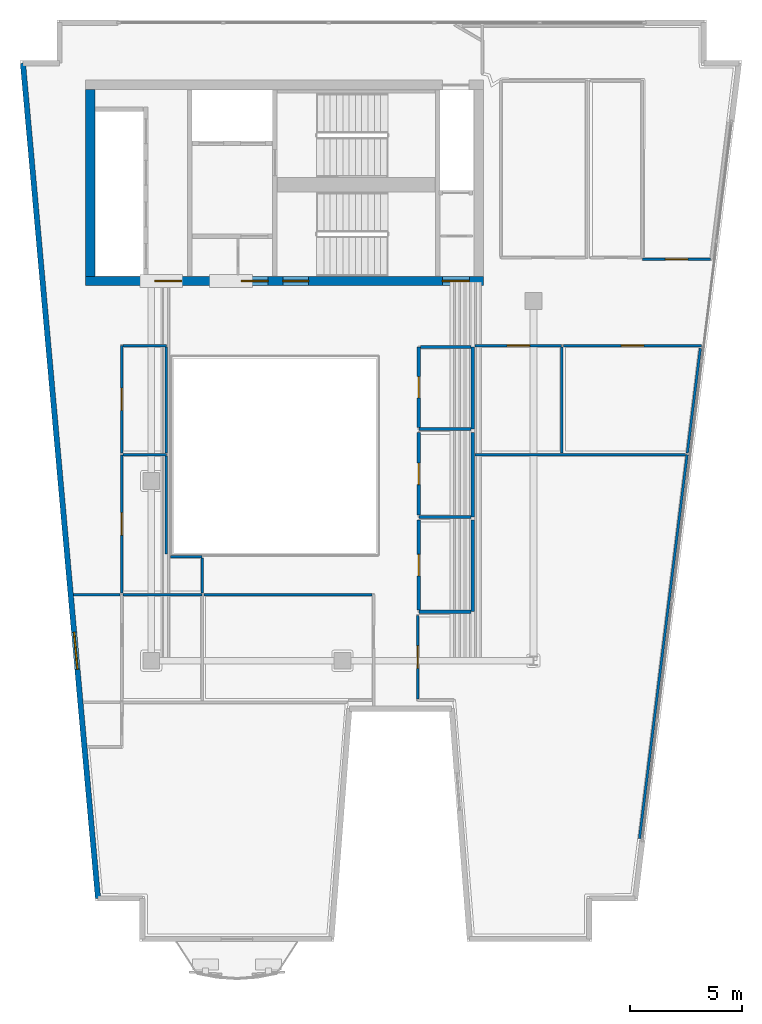
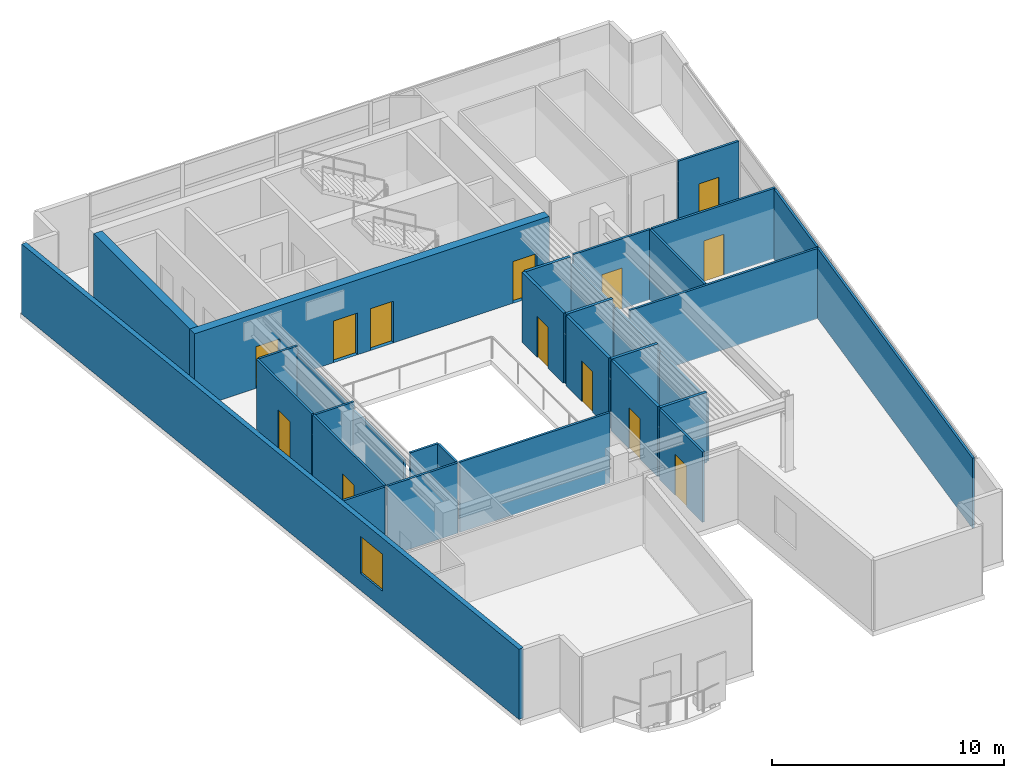
# One storey, part 4 of 8: 32 walls, 13 doors, 1 window, 14 openings.
"""IFC4 building model written with IfcOpenShell, lengths in metres."""

from ifc_helpers import new_model, si_unit, direction, frame, frame_2d, origin, place, context, subcontext, project, spatial, rectangle, extrude, material, layer, layer_set, type_object, element, fill, save


model = new_model("IFC4")

# Units and contexts
model_context = context("Model", 3, precision=1e-05, world=origin(), true_north=direction((0.0, 1.0)))
body_context = subcontext(model_context, "Body", "Model", "MODEL_VIEW")
ifc_project = project(units=[si_unit("LENGTHUNIT", "METRE"), si_unit("AREAUNIT", "SQUARE_METRE"), si_unit("VOLUMEUNIT", "CUBIC_METRE"), si_unit("PLANEANGLEUNIT", "RADIAN"), si_unit("MASSUNIT", "GRAM", prefix="KILO")], contexts=[model_context])

# Site, building, storey
site_placement = place(None, origin())
site = spatial("IfcSite", under=ifc_project, at=site_placement, CompositionType="ELEMENT")
building_placement = place(site_placement, origin())
building = spatial("IfcBuilding", under=site, at=building_placement, Name="Caeloran Harvest Quay", CompositionType="ELEMENT")
storey_placement = place(building_placement, frame((0.0, 0.0, 268.550048828125)))
storey = spatial("IfcBuildingStorey", under=building, at=storey_placement, Name="L64", CompositionType="ELEMENT", Elevation=268.550048828125)

# Wall, opening, window
ifc_material_1 = material(Name="Precast concrete C50/60", Category="concrete")
ifc_layer_1 = layer(ifc_material_1, 0.239990234375, Name="Precast concrete C50/60")
ifc_layer_set_1 = layer_set([ifc_layer_1], Name="Precast concrete C50/60")
wall_type_1 = type_object("IfcWallType", Name="ENV-WALL-EW-240", PredefinedType="STANDARD", material=ifc_layer_set_1)
wall_1_placement = place(storey_placement, frame((6.13330078125, 4.419921875, 0.0), z_axis=(0.0, 0.0, 1.0), x_axis=(-0.089522678378, 0.995984784048, 0.0)))
wall_1 = element("IfcWall", 1, at=wall_1_placement, inside=storey, type_object=wall_type_1, Name="L64 Exterior Precast Concrete Facade Wall 3", PredefinedType="STANDARD", context=body_context, shape_type="SweptSolid", body=[
    extrude(rectangle(XDim=37.31005859375, YDim=0.239990234375, at=frame_2d((18.655029296875, 0.0))), origin(), (0.0, 0.0, 1.0), 3.699951171875),
])
opening_1_placement = place(wall_1_placement, frame((10.24560546875, 0.0, 0.89990234375)))
opening_1 = element("IfcOpeningElement", 2, at=opening_1_placement, cuts=wall_1, Name="Opening W-08", PredefinedType="OPENING", context=body_context, shape_type="SweptSolid", body=[
    extrude(rectangle(XDim=1.64990234375, YDim=1.949951171875, at=frame_2d((0.824951171875, 0.97509765625))), frame((0.0, 0.1298828125, 0.0), z_axis=(0.0, -1.0, 0.0), x_axis=(1.0, 0.0, 0.0)), (0.0, 0.0, 1.0), 0.260009765625),
])
ifc_material_2 = material(Name="Aluminium-Framed Low-E Laminated Glass", Category="aluminium")
window_type = type_object("IfcWindowType", Name="WIN-W-08", PartitioningType="SINGLE_PANEL", PredefinedType="WINDOW", material=ifc_material_2)
window_placement = place(opening_1_placement, origin())
window = element("IfcWindow", 3, at=window_placement, inside=storey, type_object=window_type, Name="L64 Facade Punched Window W-08", OverallHeight=1.949951171875, OverallWidth=1.64990234375, PartitioningType="SINGLE_PANEL", PredefinedType="WINDOW", context=body_context, shape_type="SweptSolid", body=[
    extrude(rectangle(XDim=1.64990234375, YDim=1.949951171875, at=frame_2d((0.824951171875, 0.97509765625))), frame((0.0, 0.030029296875, 0.0), z_axis=(0.0, -1.0, 0.0), x_axis=(1.0, 0.0, 0.0)), (0.0, 0.0, 1.0), 0.06005859375),
])
fill(opening_1, window)

# Wall
ifc_material_3 = material(Name="Single-Stud Acoustic Gypsum Office Partition", Category="gypsum")
ifc_layer_2 = layer(ifc_material_3, 0.112060546875, Name="Single-Stud Acoustic Gypsum Office Partition")
ifc_layer_set_2 = layer_set([ifc_layer_2], Name="Single-Stud Acoustic Gypsum Office Partition")
wall_type_2 = type_object("IfcWallType", Name="INT-WALL-PW-112", PredefinedType="PARTITIONING", material=ifc_layer_set_2)
wall_2_placement = place(storey_placement, frame((32.3369140625, 24.159912109375, 0.0), z_axis=(0.0, 0.0, 1.0), x_axis=(-0.123182617282, -0.992384019823, 0.0)))
element("IfcWall", 4, at=wall_2_placement, inside=storey, type_object=wall_type_2, Name="International Policy Conference Room Partition Wall", PredefinedType="PARTITIONING", context=body_context, shape_type="SweptSolid", body=[
    extrude(rectangle(XDim=17.209228515625, YDim=0.112060546875, at=frame_2d((8.6044921875, 0.0))), origin(), (0.0, 0.0, 1.0), 3.699951171875),
])

# Wall, opening, door
wall_3_placement = place(storey_placement, frame((20.35009765625, 13.301025390625, 0.0), z_axis=(0.0, 0.0, 1.0), x_axis=(0.0, 1.0, 0.0)))
wall_3 = element("IfcWall", 5, at=wall_3_placement, inside=storey, type_object=wall_type_2, Name="International Policy Conference Room Partition Wall", PredefinedType="PARTITIONING", context=body_context, shape_type="SweptSolid", body=[
    extrude(rectangle(XDim=3.718994140625, YDim=0.112060546875, at=frame_2d((1.859375, 0.0))), origin(), (0.0, 0.0, 1.0), 3.699951171875),
])
opening_2_placement = place(wall_3_placement, frame((1.359619140625, 0.0, 0.0)))
opening_2 = element("IfcOpeningElement", 6, at=opening_2_placement, cuts=wall_3, Name="Opening ID-01", PredefinedType="OPENING", context=body_context, shape_type="SweptSolid", body=[
    extrude(rectangle(XDim=1.0, YDim=2.14990234375, at=frame_2d((0.5, 1.074951171875))), frame((0.0, 0.06591796875, 0.0), z_axis=(0.0, -1.0, 0.0), x_axis=(1.0, 0.0, 0.0)), (0.0, 0.0, 1.0), 0.132080078125),
])
ifc_material_4 = material(Name="FSC Solid-Core Ash Timber and Acoustic Seal", Category="wood")
door_type_1 = type_object("IfcDoorType", Name="INTDOOR-ID-01", OperationType="NOTDEFINED", PredefinedType="DOOR", material=ifc_material_4)
door_1_placement = place(opening_2_placement, origin())
door_1 = element("IfcDoor", 7, at=door_1_placement, inside=storey, type_object=door_type_1, Name="International Policy Conference Room Access Door", OperationType="SINGLE_SWING_LEFT", OverallHeight=2.14990234375, OverallWidth=1.0, PredefinedType="DOOR", context=body_context, shape_type="SweptSolid", body=[
    extrude(rectangle(XDim=1.0, YDim=2.14990234375, at=frame_2d((0.5, 1.074951171875))), frame((0.0, 0.02490234375, 0.0), z_axis=(0.0, -1.0, 0.0), x_axis=(1.0, 0.0, 0.0)), (0.0, 0.0, 1.0), 0.050048828125),
])
fill(opening_2, door_1)

# Walls
wall_4_placement = place(storey_placement, frame((22.909912109375, 24.159912109375, 0.0), z_axis=(0.0, 0.0, 1.0), x_axis=(1.0, 0.0, 0.0)))
element("IfcWall", 8, at=wall_4_placement, inside=storey, type_object=wall_type_2, Name="International Policy Conference Room Partition Wall", PredefinedType="PARTITIONING", context=body_context, shape_type="SweptSolid", body=[
    extrude(rectangle(XDim=9.365478515625, YDim=0.112060546875, at=frame_2d((4.6826171875, 0.0))), origin(), (0.0, 0.0, 1.0), 3.699951171875),
])
wall_5_placement = place(storey_placement, frame((5.043701171875, 17.93994140625, 0.0), z_axis=(0.0, 0.0, 1.0), x_axis=(1.0, 0.0, 0.0)))
element("IfcWall", 9, at=wall_5_placement, inside=storey, type_object=wall_type_2, Name="Translation Briefing Room Partition Wall", PredefinedType="PARTITIONING", context=body_context, shape_type="SweptSolid", body=[
    extrude(rectangle(XDim=2.0751953125, YDim=0.112060546875, at=frame_2d((1.03759765625, 0.0))), origin(), (0.0, 0.0, 1.0), 3.699951171875),
])
wall_6_placement = place(storey_placement, frame((7.240966796875, 17.93994140625, 0.0), z_axis=(0.0, 0.0, 1.0), x_axis=(1.0, 0.0, 0.0)))
element("IfcWall", 10, at=wall_6_placement, inside=storey, type_object=wall_type_2, Name="Translation Briefing Room Partition Wall", PredefinedType="PARTITIONING", context=body_context, shape_type="SweptSolid", body=[
    extrude(rectangle(XDim=3.51904296875, YDim=0.112060546875, at=frame_2d((1.759521484375, 0.0))), origin(), (0.0, 0.0, 1.0), 3.699951171875),
])
wall_7_placement = place(storey_placement, frame((10.840087890625, 17.93994140625, 0.0), z_axis=(0.0, 0.0, 1.0), x_axis=(1.0, 0.0, 0.0)))
element("IfcWall", 11, at=wall_7_placement, inside=storey, type_object=wall_type_2, Name="Treaty Archive Library Room Partition Wall", PredefinedType="PARTITIONING", context=body_context, shape_type="SweptSolid", body=[
    extrude(rectangle(XDim=7.489013671875, YDim=0.112060546875, at=frame_2d((3.74462890625, 0.0))), origin(), (0.0, 0.0, 1.0), 3.699951171875),
])
wall_8_placement = place(storey_placement, frame((9.35009765625, 19.6201171875, 0.0), z_axis=(0.0, 0.0, 1.0), x_axis=(1.0, 0.0, 0.0)))
element("IfcWall", 12, at=wall_8_placement, inside=storey, type_object=wall_type_2, Name="Delegation Dining Kitchen Partition Wall", PredefinedType="PARTITIONING", context=body_context, shape_type="SweptSolid", body=[
    extrude(rectangle(XDim=1.409912109375, YDim=0.112060546875, at=frame_2d((0.705078125, 0.0))), origin(), (0.0, 0.0, 1.0), 3.699951171875),
])
wall_9_placement = place(storey_placement, frame((10.760009765625, 19.55908203125, 0.0), z_axis=(0.0, 0.0, 1.0), x_axis=(0.0, -1.0, 0.0)))
element("IfcWall", 13, at=wall_9_placement, inside=storey, type_object=wall_type_2, Name="Delegation Dining Kitchen Partition Wall", PredefinedType="PARTITIONING", context=body_context, shape_type="SweptSolid", body=[
    extrude(rectangle(XDim=1.5390625, YDim=0.112060546875, at=frame_2d((0.76953125, 0.0))), origin(), (0.0, 0.0, 1.0), 3.699951171875),
])

# Wall, opening, door
wall_10_placement = place(storey_placement, frame((7.179931640625, 18.02001953125, 0.0), z_axis=(0.0, 0.0, 1.0), x_axis=(0.0, 1.0, 0.0)))
wall_10 = element("IfcWall", 14, at=wall_10_placement, inside=storey, type_object=wall_type_2, Name="Delegation Dining Kitchen Partition Wall", PredefinedType="PARTITIONING", context=body_context, shape_type="SweptSolid", body=[
    extrude(rectangle(XDim=6.139892578125, YDim=0.112060546875, at=frame_2d((3.06982421875, 0.0))), origin(), (0.0, 0.0, 1.0), 3.699951171875),
])
opening_3_placement = place(wall_10_placement, frame((2.570068359375, 0.0, 0.0)))
opening_3 = element("IfcOpeningElement", 15, at=opening_3_placement, cuts=wall_10, Name="Opening ID-01", PredefinedType="OPENING", context=body_context, shape_type="SweptSolid", body=[
    extrude(rectangle(XDim=1.0, YDim=2.14990234375, at=frame_2d((0.5, 1.074951171875))), frame((0.0, 0.06591796875, 0.0), z_axis=(0.0, -1.0, 0.0), x_axis=(1.0, 0.0, 0.0)), (0.0, 0.0, 1.0), 0.132080078125),
])
door_2_placement = place(opening_3_placement, origin())
door_2 = element("IfcDoor", 16, at=door_2_placement, inside=storey, type_object=door_type_1, Name="Delegation Dining Kitchen Access Door", OperationType="SINGLE_SWING_LEFT", OverallHeight=2.14990234375, OverallWidth=1.0, PredefinedType="DOOR", context=body_context, shape_type="SweptSolid", body=[
    extrude(rectangle(XDim=1.0, YDim=2.14990234375, at=frame_2d((0.5, 1.074951171875))), frame((0.0, 0.02490234375, 0.0), z_axis=(0.0, -1.0, 0.0), x_axis=(1.0, 0.0, 0.0)), (0.0, 0.0, 1.0), 0.050048828125),
])
fill(opening_3, door_2)

# Walls
wall_11_placement = place(storey_placement, frame((7.240966796875, 24.159912109375, 0.0), z_axis=(0.0, 0.0, 1.0), x_axis=(1.0, 0.0, 0.0)))
element("IfcWall", 17, at=wall_11_placement, inside=storey, type_object=wall_type_2, Name="Delegation Dining Kitchen Partition Wall", PredefinedType="PARTITIONING", context=body_context, shape_type="SweptSolid", body=[
    extrude(rectangle(XDim=1.928955078125, YDim=0.112060546875, at=frame_2d((0.96435546875, 0.0))), origin(), (0.0, 0.0, 1.0), 3.699951171875),
])
wall_12_placement = place(storey_placement, frame((9.169921875, 24.09912109375, 0.0), z_axis=(0.0, 0.0, 1.0), x_axis=(0.0, -1.0, 0.0)))
element("IfcWall", 18, at=wall_12_placement, inside=storey, type_object=wall_type_2, Name="Delegation Dining Kitchen Partition Wall", PredefinedType="PARTITIONING", context=body_context, shape_type="SweptSolid", body=[
    extrude(rectangle(XDim=4.34912109375, YDim=0.112060546875, at=frame_2d((2.174560546875, 0.0))), origin(), (0.0, 0.0, 1.0), 3.284912109375),
])

# Wall, opening, door
wall_13_placement = place(storey_placement, frame((7.179931640625, 24.239990234375, 0.0), z_axis=(0.0, 0.0, 1.0), x_axis=(0.0, 1.0, 0.0)))
wall_13 = element("IfcWall", 19, at=wall_13_placement, inside=storey, type_object=wall_type_2, Name="Diplomatic Catering Kitchen Partition Wall", PredefinedType="PARTITIONING", context=body_context, shape_type="SweptSolid", body=[
    extrude(rectangle(XDim=4.780029296875, YDim=0.112060546875, at=frame_2d((2.39013671875, 0.0))), origin(), (0.0, 0.0, 1.0), 3.699951171875),
])
opening_4_placement = place(wall_13_placement, frame((1.889892578125, 0.0, 0.0)))
opening_4 = element("IfcOpeningElement", 20, at=opening_4_placement, cuts=wall_13, Name="Opening ID-01", PredefinedType="OPENING", context=body_context, shape_type="SweptSolid", body=[
    extrude(rectangle(XDim=1.0, YDim=2.14990234375, at=frame_2d((0.5, 1.074951171875))), frame((0.0, 0.06591796875, 0.0), z_axis=(0.0, -1.0, 0.0), x_axis=(1.0, 0.0, 0.0)), (0.0, 0.0, 1.0), 0.132080078125),
])
door_3_placement = place(opening_4_placement, origin())
door_3 = element("IfcDoor", 21, at=door_3_placement, inside=storey, type_object=door_type_1, Name="Diplomatic Catering Kitchen Access Door", OperationType="SINGLE_SWING_RIGHT", OverallHeight=2.14990234375, OverallWidth=1.0, PredefinedType="DOOR", context=body_context, shape_type="SweptSolid", body=[
    extrude(rectangle(XDim=1.0, YDim=2.14990234375, at=frame_2d((0.5, 1.074951171875))), frame((0.0, 0.02490234375, 0.0), z_axis=(0.0, -1.0, 0.0), x_axis=(1.0, 0.0, 0.0)), (0.0, 0.0, 1.0), 0.050048828125),
])
fill(opening_4, door_3)

# Walls
wall_14_placement = place(storey_placement, frame((7.240966796875, 29.02001953125, 0.0), z_axis=(0.0, 0.0, 1.0), x_axis=(1.0, 0.0, 0.0)))
element("IfcWall", 22, at=wall_14_placement, inside=storey, type_object=wall_type_2, Name="Diplomatic Catering Kitchen Partition Wall", PredefinedType="PARTITIONING", context=body_context, shape_type="SweptSolid", body=[
    extrude(rectangle(XDim=1.928955078125, YDim=0.112060546875, at=frame_2d((0.96435546875, 0.0))), origin(), (0.0, 0.0, 1.0), 3.699951171875),
])
wall_15_placement = place(storey_placement, frame((9.169921875, 28.958984375, 0.0), z_axis=(0.0, 0.0, 1.0), x_axis=(0.0, -1.0, 0.0)))
element("IfcWall", 23, at=wall_15_placement, inside=storey, type_object=wall_type_2, Name="Diplomatic Catering Kitchen Partition Wall", PredefinedType="PARTITIONING", context=body_context, shape_type="SweptSolid", body=[
    extrude(rectangle(XDim=4.718994140625, YDim=0.112060546875, at=frame_2d((2.359375, 0.0))), origin(), (0.0, 0.0, 1.0), 3.284912109375),
])

# Wall, opening, door
wall_16_placement = place(storey_placement, frame((22.909912109375, 29.02001953125, 0.0), z_axis=(0.0, 0.0, 1.0), x_axis=(1.0, 0.0, 0.0)))
wall_16 = element("IfcWall", 24, at=wall_16_placement, inside=storey, type_object=wall_type_2, Name="Embassy Wellness Lounge Partition Wall", PredefinedType="PARTITIONING", context=body_context, shape_type="SweptSolid", body=[
    extrude(rectangle(XDim=3.85009765625, YDim=0.112060546875, at=frame_2d((1.925048828125, 0.0))), origin(), (0.0, 0.0, 1.0), 3.699951171875),
])
opening_5_placement = place(wall_16_placement, frame((1.425048828125, 0.0, 0.0)))
opening_5 = element("IfcOpeningElement", 25, at=opening_5_placement, cuts=wall_16, Name="Opening ID-01", PredefinedType="OPENING", context=body_context, shape_type="SweptSolid", body=[
    extrude(rectangle(XDim=1.0, YDim=2.14990234375, at=frame_2d((0.5, 1.074951171875))), frame((0.0, 0.06591796875, 0.0), z_axis=(0.0, -1.0, 0.0), x_axis=(1.0, 0.0, 0.0)), (0.0, 0.0, 1.0), 0.132080078125),
])
door_4_placement = place(opening_5_placement, origin())
door_4 = element("IfcDoor", 26, at=door_4_placement, inside=storey, type_object=door_type_1, Name="Embassy Wellness Lounge Access Door", OperationType="SINGLE_SWING_LEFT", OverallHeight=2.14990234375, OverallWidth=1.0, PredefinedType="DOOR", context=body_context, shape_type="SweptSolid", body=[
    extrude(rectangle(XDim=1.0, YDim=2.14990234375, at=frame_2d((0.5, 1.074951171875))), frame((0.0, 0.02490234375, 0.0), z_axis=(0.0, -1.0, 0.0), x_axis=(1.0, 0.0, 0.0)), (0.0, 0.0, 1.0), 0.050048828125),
])
fill(opening_5, door_4)

# Wall
wall_17_placement = place(storey_placement, frame((26.760009765625, 28.958984375, 0.0), z_axis=(0.0, 0.0, 1.0), x_axis=(0.0, -1.0, 0.0)))
element("IfcWall", 27, at=wall_17_placement, inside=storey, type_object=wall_type_2, Name="Embassy Wellness Lounge Partition Wall", PredefinedType="PARTITIONING", context=body_context, shape_type="SweptSolid", body=[
    extrude(rectangle(XDim=4.718994140625, YDim=0.112060546875, at=frame_2d((2.359375, 0.0))), origin(), (0.0, 0.0, 1.0), 3.699951171875),
])

# Wall, opening, door
wall_18_placement = place(storey_placement, frame((26.840087890625, 29.02001953125, 0.0), z_axis=(0.0, 0.0, 1.0), x_axis=(1.0, 0.0, 0.0)))
wall_18 = element("IfcWall", 28, at=wall_18_placement, inside=storey, type_object=wall_type_2, Name="Climate Diplomacy Seminar Hall 8 Partition Wall", PredefinedType="PARTITIONING", context=body_context, shape_type="SweptSolid", body=[
    extrude(rectangle(XDim=6.1357421875, YDim=0.112060546875, at=frame_2d((3.06787109375, 0.0))), origin(), (0.0, 0.0, 1.0), 3.699951171875),
])
opening_6_placement = place(wall_18_placement, frame((2.56787109375, 0.0, 0.0)))
opening_6 = element("IfcOpeningElement", 29, at=opening_6_placement, cuts=wall_18, Name="Opening ID-01", PredefinedType="OPENING", context=body_context, shape_type="SweptSolid", body=[
    extrude(rectangle(XDim=1.0, YDim=2.14990234375, at=frame_2d((0.5, 1.074951171875))), frame((0.0, 0.06591796875, 0.0), z_axis=(0.0, -1.0, 0.0), x_axis=(1.0, 0.0, 0.0)), (0.0, 0.0, 1.0), 0.132080078125),
])
door_5_placement = place(opening_6_placement, origin())
door_5 = element("IfcDoor", 30, at=door_5_placement, inside=storey, type_object=door_type_1, Name="Climate Diplomacy Seminar Hall 8 Access Door", OperationType="SINGLE_SWING_RIGHT", OverallHeight=2.14990234375, OverallWidth=1.0, PredefinedType="DOOR", context=body_context, shape_type="SweptSolid", body=[
    extrude(rectangle(XDim=1.0, YDim=2.14990234375, at=frame_2d((0.5, 1.074951171875))), frame((0.0, 0.02490234375, 0.0), z_axis=(0.0, -1.0, 0.0), x_axis=(1.0, 0.0, 0.0)), (0.0, 0.0, 1.0), 0.050048828125),
])
fill(opening_6, door_5)

# Wall
wall_19_placement = place(storey_placement, frame((32.926025390625, 28.89990234375, 0.0), z_axis=(0.0, 0.0, 1.0), x_axis=(-0.123324415608, -0.992366408397, 0.0)))
element("IfcWall", 31, at=wall_19_placement, inside=storey, type_object=wall_type_2, Name="Climate Diplomacy Seminar Hall 8 Partition Wall", PredefinedType="PARTITIONING", context=body_context, shape_type="SweptSolid", body=[
    extrude(rectangle(XDim=4.69580078125, YDim=0.112060546875, at=frame_2d((2.347900390625, 0.0))), origin(), (0.0, 0.0, 1.0), 3.699951171875),
])

# Wall, opening, door
wall_20_placement = place(storey_placement, frame((33.37548828125, 32.85009765625, 0.0), z_axis=(0.0, 0.0, 1.0), x_axis=(-1.0, 0.0, 0.0)))
wall_20 = element("IfcWall", 32, at=wall_20_placement, inside=storey, type_object=wall_type_2, Name="International Policy Conference Room 9 Partition Wall", PredefinedType="PARTITIONING", context=body_context, shape_type="SweptSolid", body=[
    extrude(rectangle(XDim=3.015380859375, YDim=0.112060546875, at=frame_2d((1.5078125, 0.0))), origin(), (0.0, 0.0, 1.0), 3.699951171875),
])
opening_7_placement = place(wall_20_placement, frame((1.0078125, 0.0, 0.0)))
opening_7 = element("IfcOpeningElement", 33, at=opening_7_placement, cuts=wall_20, Name="Opening ID-01", PredefinedType="OPENING", context=body_context, shape_type="SweptSolid", body=[
    extrude(rectangle(XDim=1.0, YDim=2.14990234375, at=frame_2d((0.5, 1.074951171875))), frame((0.0, 0.06591796875, 0.0), z_axis=(0.0, -1.0, 0.0), x_axis=(1.0, 0.0, 0.0)), (0.0, 0.0, 1.0), 0.132080078125),
])
door_6_placement = place(opening_7_placement, origin())
door_6 = element("IfcDoor", 34, at=door_6_placement, inside=storey, type_object=door_type_1, Name="International Policy Conference Room 9 Access Door", OperationType="SINGLE_SWING_LEFT", OverallHeight=2.14990234375, OverallWidth=1.0, PredefinedType="DOOR", context=body_context, shape_type="SweptSolid", body=[
    extrude(rectangle(XDim=1.0, YDim=2.14990234375, at=frame_2d((0.5, 1.074951171875))), frame((0.0, 0.02490234375, 0.0), z_axis=(0.0, -1.0, 0.0), x_axis=(1.0, 0.0, 0.0)), (0.0, 0.0, 1.0), 0.050048828125),
])
fill(opening_7, door_6)

# Walls
ifc_material_5 = material(Name="Moisture-Resistant Cement-Board Sanitary Partition", Category="gypsum")
ifc_layer_3 = layer(ifc_material_5, 0.139892578125, Name="Moisture-Resistant Cement-Board Sanitary Partition")
ifc_layer_set_3 = layer_set([ifc_layer_3], Name="Moisture-Resistant Cement-Board Sanitary Partition")
wall_type_3 = type_object("IfcWallType", Name="INT-WALL-PW-140", PredefinedType="PARTITIONING", material=ifc_layer_set_3)
wall_21_placement = place(storey_placement, frame((22.800048828125, 28.949951171875, 0.0), z_axis=(0.0, 0.0, 1.0), x_axis=(0.0, -1.0, 0.0)))
element("IfcWall", 35, at=wall_21_placement, inside=storey, type_object=wall_type_3, Name="L64 Male Washroom WC Partition Wall", PredefinedType="PARTITIONING", context=body_context, shape_type="SweptSolid", body=[
    extrude(rectangle(XDim=3.64990234375, YDim=0.139892578125, at=frame_2d((1.824951171875, 0.0))), origin(), (0.0, 0.0, 1.0), 3.284912109375),
])
wall_22_placement = place(storey_placement, frame((22.72509765625, 25.300048828125, 0.0), z_axis=(0.0, 0.0, 1.0), x_axis=(-1.0, 0.0, 0.0)))
element("IfcWall", 36, at=wall_22_placement, inside=storey, type_object=wall_type_3, Name="L64 Male Washroom WC Partition Wall", PredefinedType="PARTITIONING", context=body_context, shape_type="SweptSolid", body=[
    extrude(rectangle(XDim=2.3251953125, YDim=0.139892578125, at=frame_2d((1.16259765625, 0.0))), origin(), (0.0, 0.0, 1.0), 3.699951171875),
])

# Wall, opening, door
wall_23_placement = place(storey_placement, frame((20.39990234375, 25.375, 0.0), z_axis=(0.0, 0.0, 1.0), x_axis=(0.0, 1.0, 0.0)))
wall_23 = element("IfcWall", 37, at=wall_23_placement, inside=storey, type_object=wall_type_3, Name="L64 Male Washroom WC Partition Wall", PredefinedType="PARTITIONING", context=body_context, shape_type="SweptSolid", body=[
    extrude(rectangle(XDim=3.574951171875, YDim=0.139892578125, at=frame_2d((1.78759765625, 0.0))), origin(), (0.0, 0.0, 1.0), 3.699951171875),
])
opening_8_placement = place(wall_23_placement, frame((1.3125, 0.0, 0.0)))
opening_8 = element("IfcOpeningElement", 38, at=opening_8_placement, cuts=wall_23, Name="Opening WC-01", PredefinedType="OPENING", context=body_context, shape_type="SweptSolid", body=[
    extrude(rectangle(XDim=0.949951171875, YDim=2.14990234375, at=frame_2d((0.47509765625, 1.074951171875))), frame((0.0, 0.080078125, 0.0), z_axis=(0.0, -1.0, 0.0), x_axis=(1.0, 0.0, 0.0)), (0.0, 0.0, 1.0), 0.159912109375),
])
ifc_material_6 = material(Name="High-Pressure Laminate Moisture-Resistant Timber", Category="wood")
door_type_2 = type_object("IfcDoorType", Name="INTDOOR-WC-01", OperationType="NOTDEFINED", PredefinedType="DOOR", material=ifc_material_6)
door_7_placement = place(opening_8_placement, origin())
door_7 = element("IfcDoor", 39, at=door_7_placement, inside=storey, type_object=door_type_2, Name="L64 Male Washroom WC Access Door", OperationType="SINGLE_SWING_LEFT", OverallHeight=2.14990234375, OverallWidth=0.949951171875, PredefinedType="DOOR", context=body_context, shape_type="SweptSolid", body=[
    extrude(rectangle(XDim=0.949951171875, YDim=2.14990234375, at=frame_2d((0.47509765625, 1.074951171875))), frame((0.0, 0.02490234375, 0.0), z_axis=(0.0, -1.0, 0.0), x_axis=(1.0, 0.0, 0.0)), (0.0, 0.0, 1.0), 0.050048828125),
])
fill(opening_8, door_7)

# Walls
wall_24_placement = place(storey_placement, frame((20.47509765625, 28.949951171875, 0.0), z_axis=(0.0, 0.0, 1.0), x_axis=(1.0, 0.0, 0.0)))
element("IfcWall", 40, at=wall_24_placement, inside=storey, type_object=wall_type_3, Name="L64 Male Washroom WC Partition Wall", PredefinedType="PARTITIONING", context=body_context, shape_type="SweptSolid", body=[
    extrude(rectangle(XDim=2.25, YDim=0.139892578125, at=frame_2d((1.125, 0.0))), origin(), (0.0, 0.0, 1.0), 3.699951171875),
])
wall_25_placement = place(storey_placement, frame((22.800048828125, 25.14990234375, 0.0), z_axis=(0.0, 0.0, 1.0), x_axis=(0.0, -1.0, 0.0)))
element("IfcWall", 41, at=wall_25_placement, inside=storey, type_object=wall_type_3, Name="L64 Female Washroom WC Partition Wall", PredefinedType="PARTITIONING", context=body_context, shape_type="SweptSolid", body=[
    extrude(rectangle(XDim=3.75, YDim=0.139892578125, at=frame_2d((1.875, 0.0))), origin(), (0.0, 0.0, 1.0), 3.284912109375),
])
wall_26_placement = place(storey_placement, frame((22.72509765625, 21.39990234375, 0.0), z_axis=(0.0, 0.0, 1.0), x_axis=(-1.0, 0.0, 0.0)))
element("IfcWall", 42, at=wall_26_placement, inside=storey, type_object=wall_type_3, Name="L64 Female Washroom WC Partition Wall", PredefinedType="PARTITIONING", context=body_context, shape_type="SweptSolid", body=[
    extrude(rectangle(XDim=2.3251953125, YDim=0.139892578125, at=frame_2d((1.16259765625, 0.0))), origin(), (0.0, 0.0, 1.0), 3.699951171875),
])

# Wall, opening, door
wall_27_placement = place(storey_placement, frame((20.39990234375, 21.47509765625, 0.0), z_axis=(0.0, 0.0, 1.0), x_axis=(0.0, 1.0, 0.0)))
wall_27 = element("IfcWall", 43, at=wall_27_placement, inside=storey, type_object=wall_type_3, Name="L64 Female Washroom WC Partition Wall", PredefinedType="PARTITIONING", context=body_context, shape_type="SweptSolid", body=[
    extrude(rectangle(XDim=3.6748046875, YDim=0.139892578125, at=frame_2d((1.83740234375, 0.0))), origin(), (0.0, 0.0, 1.0), 3.699951171875),
])
opening_9_placement = place(wall_27_placement, frame((1.362548828125, 0.0, 0.0)))
opening_9 = element("IfcOpeningElement", 44, at=opening_9_placement, cuts=wall_27, Name="Opening WC-01", PredefinedType="OPENING", context=body_context, shape_type="SweptSolid", body=[
    extrude(rectangle(XDim=0.949951171875, YDim=2.14990234375, at=frame_2d((0.47509765625, 1.074951171875))), frame((0.0, 0.080078125, 0.0), z_axis=(0.0, -1.0, 0.0), x_axis=(1.0, 0.0, 0.0)), (0.0, 0.0, 1.0), 0.159912109375),
])
door_8_placement = place(opening_9_placement, origin())
door_8 = element("IfcDoor", 45, at=door_8_placement, inside=storey, type_object=door_type_2, Name="L64 Female Washroom WC Access Door", OperationType="SINGLE_SWING_RIGHT", OverallHeight=2.14990234375, OverallWidth=0.949951171875, PredefinedType="DOOR", context=body_context, shape_type="SweptSolid", body=[
    extrude(rectangle(XDim=0.949951171875, YDim=2.14990234375, at=frame_2d((0.47509765625, 1.074951171875))), frame((0.0, 0.02490234375, 0.0), z_axis=(0.0, -1.0, 0.0), x_axis=(1.0, 0.0, 0.0)), (0.0, 0.0, 1.0), 0.050048828125),
])
fill(opening_9, door_8)

# Walls
wall_28_placement = place(storey_placement, frame((22.800048828125, 21.25, 0.0), z_axis=(0.0, 0.0, 1.0), x_axis=(0.0, -1.0, 0.0)))
element("IfcWall", 46, at=wall_28_placement, inside=storey, type_object=wall_type_3, Name="L64 Accessible Unisex Washroom WC Partition Wall", PredefinedType="PARTITIONING", context=body_context, shape_type="SweptSolid", body=[
    extrude(rectangle(XDim=4.070068359375, YDim=0.139892578125, at=frame_2d((2.03515625, 0.0))), origin(), (0.0, 0.0, 1.0), 3.284912109375),
])
wall_29_placement = place(storey_placement, frame((22.72509765625, 17.179931640625, 0.0), z_axis=(0.0, 0.0, 1.0), x_axis=(-1.0, 0.0, 0.0)))
element("IfcWall", 47, at=wall_29_placement, inside=storey, type_object=wall_type_3, Name="L64 Accessible Unisex Washroom WC Partition Wall", PredefinedType="PARTITIONING", context=body_context, shape_type="SweptSolid", body=[
    extrude(rectangle(XDim=2.3251953125, YDim=0.139892578125, at=frame_2d((1.16259765625, 0.0))), origin(), (0.0, 0.0, 1.0), 3.699951171875),
])

# Wall, opening, door
wall_30_placement = place(storey_placement, frame((20.39990234375, 17.2548828125, 0.0), z_axis=(0.0, 0.0, 1.0), x_axis=(0.0, 1.0, 0.0)))
wall_30 = element("IfcWall", 48, at=wall_30_placement, inside=storey, type_object=wall_type_3, Name="L64 Accessible Unisex Washroom WC Partition Wall", PredefinedType="PARTITIONING", context=body_context, shape_type="SweptSolid", body=[
    extrude(rectangle(XDim=3.9951171875, YDim=0.139892578125, at=frame_2d((1.99755859375, 0.0))), origin(), (0.0, 0.0, 1.0), 3.699951171875),
])
opening_10_placement = place(wall_30_placement, frame((1.5224609375, 0.0, 0.0)))
opening_10 = element("IfcOpeningElement", 49, at=opening_10_placement, cuts=wall_30, Name="Opening WC-01", PredefinedType="OPENING", context=body_context, shape_type="SweptSolid", body=[
    extrude(rectangle(XDim=0.949951171875, YDim=2.14990234375, at=frame_2d((0.47509765625, 1.074951171875))), frame((0.0, 0.080078125, 0.0), z_axis=(0.0, -1.0, 0.0), x_axis=(1.0, 0.0, 0.0)), (0.0, 0.0, 1.0), 0.159912109375),
])
door_9_placement = place(opening_10_placement, origin())
door_9 = element("IfcDoor", 50, at=door_9_placement, inside=storey, type_object=door_type_2, Name="L64 Accessible Unisex Washroom WC Access Door", OperationType="SINGLE_SWING_LEFT", OverallHeight=2.14990234375, OverallWidth=0.949951171875, PredefinedType="DOOR", context=body_context, shape_type="SweptSolid", body=[
    extrude(rectangle(XDim=0.949951171875, YDim=2.14990234375, at=frame_2d((0.47509765625, 1.074951171875))), frame((0.0, 0.02490234375, 0.0), z_axis=(0.0, -1.0, 0.0), x_axis=(1.0, 0.0, 0.0)), (0.0, 0.0, 1.0), 0.050048828125),
])
fill(opening_10, door_9)

# Wall, openings, doors
ifc_material_7 = material(Name="Concrete C60/75", Category="concrete")
ifc_layer_4 = layer(ifc_material_7, 0.419921875, Name="Concrete C60/75")
ifc_layer_set_4 = layer_set([ifc_layer_4], Name="Concrete C60/75")
wall_type_4 = type_object("IfcWallType", Name="STR-WALL-CW-420", PredefinedType="SHEAR", material=ifc_layer_set_4)
wall_31_placement = place(storey_placement, frame((5.580078125, 31.889892578125, 0.0), z_axis=(0.0, 0.0, 1.0), x_axis=(1.0, 0.0, 0.0)))
wall_31 = element("IfcWall", 51, at=wall_31_placement, inside=storey, type_object=wall_type_4, Name="L64 Rear Core Shear Wall S", PredefinedType="SHEAR", context=body_context, shape_type="SweptSolid", body=[
    extrude(rectangle(XDim=17.68994140625, YDim=0.419921875, at=frame_2d((8.844970703125, 0.0))), origin(), (0.0, 0.0, 1.0), 3.949951171875),
])
opening_11_placement = place(wall_31_placement, frame((3.070068359375, 0.0, 0.0)))
opening_11 = element("IfcOpeningElement", 52, at=opening_11_placement, cuts=wall_31, Name="Opening FD-01", PredefinedType="OPENING", context=body_context, shape_type="SweptSolid", body=[
    extrude(rectangle(XDim=1.199951171875, YDim=2.199951171875, at=frame_2d((0.60009765625, 1.10009765625))), frame((0.0, 0.219970703125, 0.0), z_axis=(0.0, -1.0, 0.0), x_axis=(1.0, 0.0, 0.0)), (0.0, 0.0, 1.0), 0.43994140625),
])
opening_12_placement = place(wall_31_placement, frame((6.919921875, 0.0, 0.0)))
opening_12 = element("IfcOpeningElement", 53, at=opening_12_placement, cuts=wall_31, Name="Opening FD-01", PredefinedType="OPENING", context=body_context, shape_type="SweptSolid", body=[
    extrude(rectangle(XDim=1.199951171875, YDim=2.199951171875, at=frame_2d((0.60009765625, 1.10009765625))), frame((0.0, 0.219970703125, 0.0), z_axis=(0.0, -1.0, 0.0), x_axis=(1.0, 0.0, 0.0)), (0.0, 0.0, 1.0), 0.43994140625),
])
opening_13_placement = place(wall_31_placement, frame((8.77001953125, 0.0, 0.0)))
opening_13 = element("IfcOpeningElement", 54, at=opening_13_placement, cuts=wall_31, Name="Opening SD-01", PredefinedType="OPENING", context=body_context, shape_type="SweptSolid", body=[
    extrude(rectangle(XDim=1.14990234375, YDim=2.199951171875, at=frame_2d((0.574951171875, 1.10009765625))), frame((0.0, 0.219970703125, 0.0), z_axis=(0.0, -1.0, 0.0), x_axis=(1.0, 0.0, 0.0)), (0.0, 0.0, 1.0), 0.43994140625),
])
opening_14_placement = place(wall_31_placement, frame((15.8701171875, 0.0, 0.0)))
opening_14 = element("IfcOpeningElement", 55, at=opening_14_placement, cuts=wall_31, Name="Opening FD-01", PredefinedType="OPENING", context=body_context, shape_type="SweptSolid", body=[
    extrude(rectangle(XDim=1.199951171875, YDim=2.199951171875, at=frame_2d((0.60009765625, 1.10009765625))), frame((0.0, 0.219970703125, 0.0), z_axis=(0.0, -1.0, 0.0), x_axis=(1.0, 0.0, 0.0)), (0.0, 0.0, 1.0), 0.43994140625),
])
ifc_material_8 = material(Name="Steel", Category="steel")
door_type_3 = type_object("IfcDoorType", Name="INTDOOR-FD-01", OperationType="NOTDEFINED", PredefinedType="DOOR", material=ifc_material_8)
door_10_placement = place(opening_11_placement, origin())
door_10 = element("IfcDoor", 56, at=door_10_placement, inside=storey, type_object=door_type_3, Name="L64 High-Rise Lift Lobby Fire Door", OperationType="SINGLE_SWING_RIGHT", OverallHeight=2.199951171875, OverallWidth=1.199951171875, PredefinedType="DOOR", context=body_context, shape_type="SweptSolid", body=[
    extrude(rectangle(XDim=1.199951171875, YDim=2.199951171875, at=frame_2d((0.60009765625, 1.10009765625))), frame((0.0, 0.02490234375, 0.0), z_axis=(0.0, -1.0, 0.0), x_axis=(1.0, 0.0, 0.0)), (0.0, 0.0, 1.0), 0.050048828125),
])
fill(opening_11, door_10)
door_11_placement = place(opening_12_placement, origin())
door_11 = element("IfcDoor", 57, at=door_11_placement, inside=storey, type_object=door_type_3, Name="L64 Firefighting Lobby Vestibule Fire Door", OperationType="SINGLE_SWING_LEFT", OverallHeight=2.199951171875, OverallWidth=1.199951171875, PredefinedType="DOOR", context=body_context, shape_type="SweptSolid", body=[
    extrude(rectangle(XDim=1.199951171875, YDim=2.199951171875, at=frame_2d((0.60009765625, 1.10009765625))), frame((0.0, 0.02490234375, 0.0), z_axis=(0.0, -1.0, 0.0), x_axis=(1.0, 0.0, 0.0)), (0.0, 0.0, 1.0), 0.050048828125),
])
fill(opening_12, door_11)
door_12_placement = place(opening_14_placement, origin())
door_12 = element("IfcDoor", 58, at=door_12_placement, inside=storey, type_object=door_type_3, Name="L64 Service Lift Lobby Fire Door", OperationType="SINGLE_SWING_LEFT", OverallHeight=2.199951171875, OverallWidth=1.199951171875, PredefinedType="DOOR", context=body_context, shape_type="SweptSolid", body=[
    extrude(rectangle(XDim=1.199951171875, YDim=2.199951171875, at=frame_2d((0.60009765625, 1.10009765625))), frame((0.0, 0.02490234375, 0.0), z_axis=(0.0, -1.0, 0.0), x_axis=(1.0, 0.0, 0.0)), (0.0, 0.0, 1.0), 0.050048828125),
])
fill(opening_14, door_12)
door_type_4 = type_object("IfcDoorType", Name="INTDOOR-SD-01", OperationType="NOTDEFINED", PredefinedType="DOOR", material=ifc_material_8)
door_13_placement = place(opening_13_placement, origin())
door_13 = element("IfcDoor", 59, at=door_13_placement, inside=storey, type_object=door_type_4, Name="L64 Protected Stair ST-C2 Exit Door", OperationType="SINGLE_SWING_RIGHT", OverallHeight=2.199951171875, OverallWidth=1.14990234375, PredefinedType="DOOR", context=body_context, shape_type="SweptSolid", body=[
    extrude(rectangle(XDim=1.14990234375, YDim=2.199951171875, at=frame_2d((0.574951171875, 1.10009765625))), frame((0.0, 0.02490234375, 0.0), z_axis=(0.0, -1.0, 0.0), x_axis=(1.0, 0.0, 0.0)), (0.0, 0.0, 1.0), 0.050048828125),
])
fill(opening_13, door_13)

# Wall
wall_32_placement = place(storey_placement, frame((5.7900390625, 32.10009765625, 0.0), z_axis=(0.0, 0.0, 1.0), x_axis=(0.0, 1.0, 0.0)))
element("IfcWall", 60, at=wall_32_placement, inside=storey, type_object=wall_type_4, Name="L64 Rear Core Shear Wall W", PredefinedType="SHEAR", context=body_context, shape_type="SweptSolid", body=[
    extrude(rectangle(XDim=8.2998046875, YDim=0.419921875, at=frame_2d((4.14990234375, 0.0))), origin(), (0.0, 0.0, 1.0), 3.949951171875),
])

save(model, "model.ifc")
